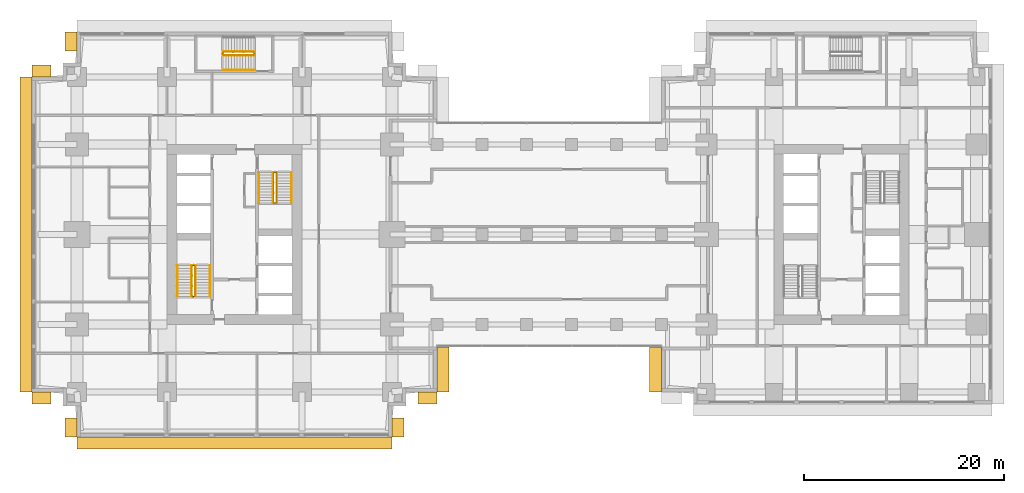
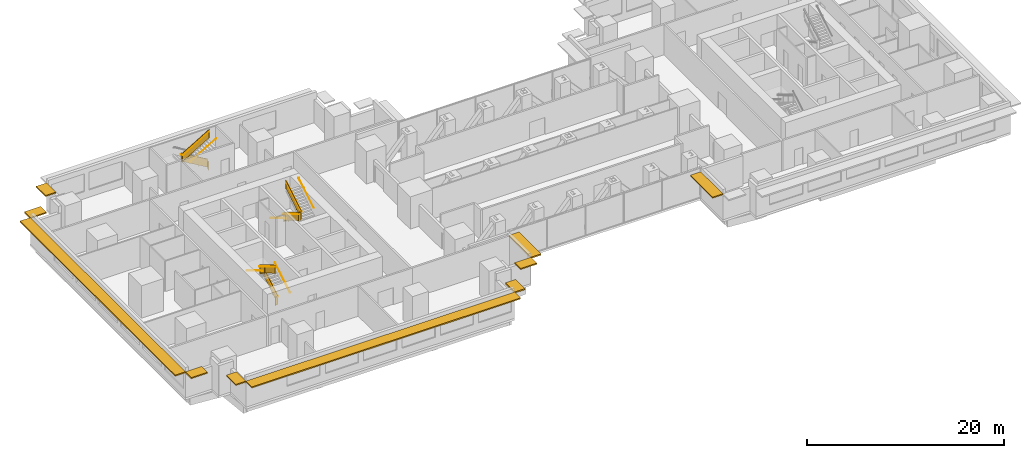
# One storey, part 13 of 15: 14 railings, 10 shading devices.
"""IFC4 building model written with IfcOpenShell, lengths in metres."""

from ifc_helpers import new_model, si_unit, direction, frame, origin, origin_2d, place, context, subcontext, project, spatial, polyline, rectangle, circle, outline, extrude, material, layer, layer_set, type_object, element, save


model = new_model("IFC4")

# Units and contexts
model_context = context("Model", 3, precision=1e-05, world=origin(), true_north=direction((0.0, 1.0)))
body_context = subcontext(model_context, "Body", "Model", "MODEL_VIEW")
ifc_project = project(units=[si_unit("LENGTHUNIT", "METRE"), si_unit("AREAUNIT", "SQUARE_METRE"), si_unit("VOLUMEUNIT", "CUBIC_METRE"), si_unit("PLANEANGLEUNIT", "RADIAN"), si_unit("MASSUNIT", "GRAM", prefix="KILO")], contexts=[model_context])

# Site, building, storey
site_placement = place(None, origin())
site = spatial("IfcSite", under=ifc_project, at=site_placement, CompositionType="ELEMENT")
building_placement = place(site_placement, origin())
building = spatial("IfcBuilding", under=site, at=building_placement, Name="Namib Vertical Campus", CompositionType="ELEMENT")
storey_placement = place(building_placement, frame((0.0, 0.0, 109.0)))
storey = spatial("IfcBuildingStorey", under=building, at=storey_placement, Name="L25", CompositionType="ELEMENT", Elevation=109.0)

# Railings
ifc_material_1 = material(Name="Steel handrail", Category="steel")
railing_type_1 = type_object("IfcRailingType", Name="Handrail 900", PredefinedType="HANDRAIL", material=ifc_material_1)
railing_1_placement = place(storey_placement, frame((17.800048828125, 14.050048828125, 0.166748046875)))
element("IfcRailing", 1, at=railing_1_placement, inside=storey, type_object=railing_type_1, Name="Handrail HR1 A-S1 L25 1", PredefinedType="HANDRAIL", context=body_context, shape_type="SweptSolid", body=[
    extrude(circle(Radius=0.02392578125, at=origin_2d()), frame((0.0, 0.0, 0.8759765625), z_axis=(0.0, 0.859290745958, 0.51148745235), x_axis=(-1.0, 0.0, 0.0)), (0.0, 0.0, 1.0), 3.584228515625),
    extrude(circle(Radius=0.008056640625, at=origin_2d()), frame((0.0, 0.0, 0.8759765625), z_axis=(1.0, 0.0, 0.0), x_axis=(0.0, 0.0, 1.0)), (0.0, 0.0, 1.0), 0.050048828125),
    extrude(circle(Radius=0.008056640625, at=origin_2d()), frame((0.0, 1.026611328125, 1.48681640625), z_axis=(1.0, 0.0, 0.0), x_axis=(0.0, 0.0, 1.0)), (0.0, 0.0, 1.0), 0.050048828125),
    extrude(circle(Radius=0.008056640625, at=origin_2d()), frame((0.0, 2.05322265625, 2.09814453125), z_axis=(1.0, 0.0, 0.0), x_axis=(0.0, 0.0, 1.0)), (0.0, 0.0, 1.0), 0.050048828125),
    extrude(circle(Radius=0.008056640625, at=origin_2d()), frame((0.0, 3.079833984375, 2.708984375), z_axis=(1.0, 0.0, 0.0), x_axis=(0.0, 0.0, 1.0)), (0.0, 0.0, 1.0), 0.050048828125),
])
railing_2_placement = place(storey_placement, frame((14.550048828125, 17.1298828125, 2.166748046875)))
element("IfcRailing", 2, at=railing_2_placement, inside=storey, type_object=railing_type_1, Name="Handrail HR1 A-S1 L25 2", PredefinedType="HANDRAIL", context=body_context, shape_type="SweptSolid", body=[
    extrude(circle(Radius=0.02392578125, at=origin_2d()), frame((0.0, 0.0, 0.8759765625), z_axis=(0.0, -0.859290745958, 0.51148745235), x_axis=(1.0, 0.0, 0.0)), (0.0, 0.0, 1.0), 3.584228515625),
    extrude(circle(Radius=0.008056640625, at=origin_2d()), frame((0.0, 0.0, 0.8759765625), z_axis=(-1.0, 0.0, 0.0), x_axis=(0.0, 0.0, 1.0)), (0.0, 0.0, 1.0), 0.050048828125),
    extrude(circle(Radius=0.008056640625, at=origin_2d()), frame((0.0, -1.026611328125, 1.48681640625), z_axis=(-1.0, 0.0, 0.0), x_axis=(0.0, 0.0, 1.0)), (0.0, 0.0, 1.0), 0.050048828125),
    extrude(circle(Radius=0.008056640625, at=origin_2d()), frame((0.0, -2.05322265625, 2.09814453125), z_axis=(-1.0, 0.0, 0.0), x_axis=(0.0, 0.0, 1.0)), (0.0, 0.0, 1.0), 0.050048828125),
    extrude(circle(Radius=0.008056640625, at=origin_2d()), frame((0.0, -3.079833984375, 2.708984375), z_axis=(-1.0, 0.0, 0.0), x_axis=(0.0, 0.0, 1.0)), (0.0, 0.0, 1.0), 0.050048828125),
])
railing_3_placement = place(storey_placement, frame((16.375, 14.050048828125, 0.166748046875)))
element("IfcRailing", 3, at=railing_3_placement, inside=storey, type_object=railing_type_1, Name="Handrail HR1 A-S1 L25 1 at the well", PredefinedType="HANDRAIL", context=body_context, shape_type="SweptSolid", body=[
    extrude(circle(Radius=0.02392578125, at=origin_2d()), frame((0.0, 0.0, 0.8759765625), z_axis=(0.0, 0.859290745958, 0.51148745235), x_axis=(-1.0, 0.0, 0.0)), (0.0, 0.0, 1.0), 3.584228515625),
    extrude(circle(Radius=0.008056640625, at=origin_2d()), frame((0.0, 0.0, 0.8759765625), z_axis=(-1.0, 0.0, 0.0), x_axis=(0.0, 0.0, 1.0)), (0.0, 0.0, 1.0), 0.0400390625),
    extrude(circle(Radius=0.008056640625, at=origin_2d()), frame((0.0, 1.026611328125, 1.48681640625), z_axis=(-1.0, 0.0, 0.0), x_axis=(0.0, 0.0, 1.0)), (0.0, 0.0, 1.0), 0.0400390625),
    extrude(circle(Radius=0.008056640625, at=origin_2d()), frame((0.0, 2.05322265625, 2.09814453125), z_axis=(-1.0, 0.0, 0.0), x_axis=(0.0, 0.0, 1.0)), (0.0, 0.0, 1.0), 0.0400390625),
    extrude(circle(Radius=0.008056640625, at=origin_2d()), frame((0.0, 3.079833984375, 2.708984375), z_axis=(-1.0, 0.0, 0.0), x_axis=(0.0, 0.0, 1.0)), (0.0, 0.0, 1.0), 0.0400390625),
])
railing_4_placement = place(storey_placement, frame((15.97509765625, 17.1298828125, 2.166748046875)))
element("IfcRailing", 4, at=railing_4_placement, inside=storey, type_object=railing_type_1, Name="Handrail HR1 A-S1 L25 2 at the well", PredefinedType="HANDRAIL", context=body_context, shape_type="SweptSolid", body=[
    extrude(circle(Radius=0.02392578125, at=origin_2d()), frame((0.0, 0.0, 0.8759765625), z_axis=(0.0, -0.859290745958, 0.51148745235), x_axis=(1.0, 0.0, 0.0)), (0.0, 0.0, 1.0), 3.584228515625),
    extrude(circle(Radius=0.008056640625, at=origin_2d()), frame((0.0, 0.0, 0.8759765625), z_axis=(1.0, 0.0, 0.0), x_axis=(0.0, 0.0, 1.0)), (0.0, 0.0, 1.0), 0.0400390625),
    extrude(circle(Radius=0.008056640625, at=origin_2d()), frame((0.0, -1.026611328125, 1.48681640625), z_axis=(1.0, 0.0, 0.0), x_axis=(0.0, 0.0, 1.0)), (0.0, 0.0, 1.0), 0.0400390625),
    extrude(circle(Radius=0.008056640625, at=origin_2d()), frame((0.0, -2.05322265625, 2.09814453125), z_axis=(1.0, 0.0, 0.0), x_axis=(0.0, 0.0, 1.0)), (0.0, 0.0, 1.0), 0.0400390625),
    extrude(circle(Radius=0.008056640625, at=origin_2d()), frame((0.0, -3.079833984375, 2.708984375), z_axis=(1.0, 0.0, 0.0), x_axis=(0.0, 0.0, 1.0)), (0.0, 0.0, 1.0), 0.0400390625),
])
railing_5_placement = place(storey_placement, frame((22.699951171875, 26.449951171875, 0.166748046875)))
element("IfcRailing", 5, at=railing_5_placement, inside=storey, type_object=railing_type_1, Name="Handrail HR1 A-S2 L25 1", PredefinedType="HANDRAIL", context=body_context, shape_type="SweptSolid", body=[
    extrude(circle(Radius=0.02392578125, at=origin_2d()), frame((0.0, 0.0, 0.8759765625), z_axis=(0.0, -0.859290745958, 0.51148745235), x_axis=(1.0, 0.0, 0.0)), (0.0, 0.0, 1.0), 3.584228515625),
    extrude(circle(Radius=0.008056640625, at=origin_2d()), frame((0.0, 0.0, 0.8759765625), z_axis=(-1.0, 0.0, 0.0), x_axis=(0.0, 0.0, 1.0)), (0.0, 0.0, 1.0), 0.050048828125),
    extrude(circle(Radius=0.008056640625, at=origin_2d()), frame((0.0, -1.026611328125, 1.48681640625), z_axis=(-1.0, 0.0, 0.0), x_axis=(0.0, 0.0, 1.0)), (0.0, 0.0, 1.0), 0.050048828125),
    extrude(circle(Radius=0.008056640625, at=origin_2d()), frame((0.0, -2.05322265625, 2.09814453125), z_axis=(-1.0, 0.0, 0.0), x_axis=(0.0, 0.0, 1.0)), (0.0, 0.0, 1.0), 0.050048828125),
    extrude(circle(Radius=0.008056640625, at=origin_2d()), frame((0.0, -3.079833984375, 2.708984375), z_axis=(-1.0, 0.0, 0.0), x_axis=(0.0, 0.0, 1.0)), (0.0, 0.0, 1.0), 0.050048828125),
])
railing_6_placement = place(storey_placement, frame((25.949951171875, 23.3701171875, 2.166748046875)))
element("IfcRailing", 6, at=railing_6_placement, inside=storey, type_object=railing_type_1, Name="Handrail HR1 A-S2 L25 2", PredefinedType="HANDRAIL", context=body_context, shape_type="SweptSolid", body=[
    extrude(circle(Radius=0.02392578125, at=origin_2d()), frame((0.0, 0.0, 0.8759765625), z_axis=(0.0, 0.859290745958, 0.51148745235), x_axis=(-1.0, 0.0, 0.0)), (0.0, 0.0, 1.0), 3.584228515625),
    extrude(circle(Radius=0.008056640625, at=origin_2d()), frame((0.0, 0.0, 0.8759765625), z_axis=(1.0, 0.0, 0.0), x_axis=(0.0, 0.0, 1.0)), (0.0, 0.0, 1.0), 0.050048828125),
    extrude(circle(Radius=0.008056640625, at=origin_2d()), frame((0.0, 1.026611328125, 1.48681640625), z_axis=(1.0, 0.0, 0.0), x_axis=(0.0, 0.0, 1.0)), (0.0, 0.0, 1.0), 0.050048828125),
    extrude(circle(Radius=0.008056640625, at=origin_2d()), frame((0.0, 2.05322265625, 2.09814453125), z_axis=(1.0, 0.0, 0.0), x_axis=(0.0, 0.0, 1.0)), (0.0, 0.0, 1.0), 0.050048828125),
    extrude(circle(Radius=0.008056640625, at=origin_2d()), frame((0.0, 3.079833984375, 2.708984375), z_axis=(1.0, 0.0, 0.0), x_axis=(0.0, 0.0, 1.0)), (0.0, 0.0, 1.0), 0.050048828125),
])
railing_7_placement = place(storey_placement, frame((24.125, 26.449951171875, 0.166748046875)))
element("IfcRailing", 7, at=railing_7_placement, inside=storey, type_object=railing_type_1, Name="Handrail HR1 A-S2 L25 1 at the well", PredefinedType="HANDRAIL", context=body_context, shape_type="SweptSolid", body=[
    extrude(circle(Radius=0.02392578125, at=origin_2d()), frame((0.0, 0.0, 0.8759765625), z_axis=(0.0, -0.859290745958, 0.51148745235), x_axis=(1.0, 0.0, 0.0)), (0.0, 0.0, 1.0), 3.584228515625),
    extrude(circle(Radius=0.008056640625, at=origin_2d()), frame((0.0, 0.0, 0.8759765625), z_axis=(1.0, 0.0, 0.0), x_axis=(0.0, 0.0, 1.0)), (0.0, 0.0, 1.0), 0.0400390625),
    extrude(circle(Radius=0.008056640625, at=origin_2d()), frame((0.0, -1.026611328125, 1.48681640625), z_axis=(1.0, 0.0, 0.0), x_axis=(0.0, 0.0, 1.0)), (0.0, 0.0, 1.0), 0.0400390625),
    extrude(circle(Radius=0.008056640625, at=origin_2d()), frame((0.0, -2.05322265625, 2.09814453125), z_axis=(1.0, 0.0, 0.0), x_axis=(0.0, 0.0, 1.0)), (0.0, 0.0, 1.0), 0.0400390625),
    extrude(circle(Radius=0.008056640625, at=origin_2d()), frame((0.0, -3.079833984375, 2.708984375), z_axis=(1.0, 0.0, 0.0), x_axis=(0.0, 0.0, 1.0)), (0.0, 0.0, 1.0), 0.0400390625),
])
railing_8_placement = place(storey_placement, frame((24.52490234375, 23.3701171875, 2.166748046875)))
element("IfcRailing", 8, at=railing_8_placement, inside=storey, type_object=railing_type_1, Name="Handrail HR1 A-S2 L25 2 at the well", PredefinedType="HANDRAIL", context=body_context, shape_type="SweptSolid", body=[
    extrude(circle(Radius=0.02392578125, at=origin_2d()), frame((0.0, 0.0, 0.8759765625), z_axis=(0.0, 0.859290745958, 0.51148745235), x_axis=(-1.0, 0.0, 0.0)), (0.0, 0.0, 1.0), 3.584228515625),
    extrude(circle(Radius=0.008056640625, at=origin_2d()), frame((0.0, 0.0, 0.8759765625), z_axis=(-1.0, 0.0, 0.0), x_axis=(0.0, 0.0, 1.0)), (0.0, 0.0, 1.0), 0.0400390625),
    extrude(circle(Radius=0.008056640625, at=origin_2d()), frame((0.0, 1.026611328125, 1.48681640625), z_axis=(-1.0, 0.0, 0.0), x_axis=(0.0, 0.0, 1.0)), (0.0, 0.0, 1.0), 0.0400390625),
    extrude(circle(Radius=0.008056640625, at=origin_2d()), frame((0.0, 2.05322265625, 2.09814453125), z_axis=(-1.0, 0.0, 0.0), x_axis=(0.0, 0.0, 1.0)), (0.0, 0.0, 1.0), 0.0400390625),
    extrude(circle(Radius=0.008056640625, at=origin_2d()), frame((0.0, 3.079833984375, 2.708984375), z_axis=(-1.0, 0.0, 0.0), x_axis=(0.0, 0.0, 1.0)), (0.0, 0.0, 1.0), 0.0400390625),
])
railing_9_placement = place(storey_placement, frame((19.1201171875, 36.699951171875, 2.166748046875)))
element("IfcRailing", 9, at=railing_9_placement, inside=storey, type_object=railing_type_1, Name="Handrail HR1 A-S3 L25 2", PredefinedType="HANDRAIL", context=body_context, shape_type="SweptSolid", body=[
    extrude(circle(Radius=0.02392578125, at=origin_2d()), frame((0.0, 0.0, 0.8759765625), z_axis=(0.859290745958, 0.0, 0.51148745235), x_axis=(0.0, 1.0, 0.0)), (0.0, 0.0, 1.0), 3.584228515625),
    extrude(circle(Radius=0.008056640625, at=origin_2d()), frame((0.0, 0.0, 0.8759765625), z_axis=(0.0, -1.0, 0.0), x_axis=(0.0, 0.0, 1.0)), (0.0, 0.0, 1.0), 0.050048828125),
    extrude(circle(Radius=0.008056640625, at=origin_2d()), frame((1.026611328125, 0.0, 1.48681640625), z_axis=(0.0, -1.0, 0.0), x_axis=(0.0, 0.0, 1.0)), (0.0, 0.0, 1.0), 0.050048828125),
    extrude(circle(Radius=0.008056640625, at=origin_2d()), frame((2.05322265625, 0.0, 2.09814453125), z_axis=(0.0, -1.0, 0.0), x_axis=(0.0, 0.0, 1.0)), (0.0, 0.0, 1.0), 0.050048828125),
    extrude(circle(Radius=0.008056640625, at=origin_2d()), frame((3.079833984375, 0.0, 2.708984375), z_axis=(0.0, -1.0, 0.0), x_axis=(0.0, 0.0, 1.0)), (0.0, 0.0, 1.0), 0.050048828125),
])
railing_10_placement = place(storey_placement, frame((22.199951171875, 38.52490234375, 0.166748046875)))
element("IfcRailing", 10, at=railing_10_placement, inside=storey, type_object=railing_type_1, Name="Handrail HR1 A-S3 L25 1 at the well", PredefinedType="HANDRAIL", context=body_context, shape_type="SweptSolid", body=[
    extrude(circle(Radius=0.02392578125, at=origin_2d()), frame((0.0, 0.0, 0.8759765625), z_axis=(-0.859290745958, 0.0, 0.51148745235), x_axis=(0.0, -1.0, 0.0)), (0.0, 0.0, 1.0), 3.584228515625),
    extrude(circle(Radius=0.008056640625, at=origin_2d()), frame((0.0, 0.0, 0.8759765625), z_axis=(0.0, -1.0, 0.0), x_axis=(0.0, 0.0, 1.0)), (0.0, 0.0, 1.0), 0.0400390625),
    extrude(circle(Radius=0.008056640625, at=origin_2d()), frame((-1.026611328125, 0.0, 1.48681640625), z_axis=(0.0, -1.0, 0.0), x_axis=(0.0, 0.0, 1.0)), (0.0, 0.0, 1.0), 0.0400390625),
    extrude(circle(Radius=0.008056640625, at=origin_2d()), frame((-2.05322265625, 0.0, 2.09814453125), z_axis=(0.0, -1.0, 0.0), x_axis=(0.0, 0.0, 1.0)), (0.0, 0.0, 1.0), 0.0400390625),
    extrude(circle(Radius=0.008056640625, at=origin_2d()), frame((-3.079833984375, 0.0, 2.708984375), z_axis=(0.0, -1.0, 0.0), x_axis=(0.0, 0.0, 1.0)), (0.0, 0.0, 1.0), 0.0400390625),
])
railing_11_placement = place(storey_placement, frame((19.1201171875, 38.125, 2.166748046875)))
element("IfcRailing", 11, at=railing_11_placement, inside=storey, type_object=railing_type_1, Name="Handrail HR1 A-S3 L25 2 at the well", PredefinedType="HANDRAIL", context=body_context, shape_type="SweptSolid", body=[
    extrude(circle(Radius=0.02392578125, at=origin_2d()), frame((0.0, 0.0, 0.8759765625), z_axis=(0.859290745958, 0.0, 0.51148745235), x_axis=(0.0, 1.0, 0.0)), (0.0, 0.0, 1.0), 3.584228515625),
    extrude(circle(Radius=0.008056640625, at=origin_2d()), frame((0.0, 0.0, 0.8759765625), z_axis=(0.0, 1.0, 0.0), x_axis=(0.0, 0.0, 1.0)), (0.0, 0.0, 1.0), 0.0400390625),
    extrude(circle(Radius=0.008056640625, at=origin_2d()), frame((1.026611328125, 0.0, 1.48681640625), z_axis=(0.0, 1.0, 0.0), x_axis=(0.0, 0.0, 1.0)), (0.0, 0.0, 1.0), 0.0400390625),
    extrude(circle(Radius=0.008056640625, at=origin_2d()), frame((2.05322265625, 0.0, 2.09814453125), z_axis=(0.0, 1.0, 0.0), x_axis=(0.0, 0.0, 1.0)), (0.0, 0.0, 1.0), 0.0400390625),
    extrude(circle(Radius=0.008056640625, at=origin_2d()), frame((3.079833984375, 0.0, 2.708984375), z_axis=(0.0, 1.0, 0.0), x_axis=(0.0, 0.0, 1.0)), (0.0, 0.0, 1.0), 0.0400390625),
])
ifc_material_2 = material(Name="Steel balustrade", Category="steel")
railing_type_2 = type_object("IfcRailingType", Name="Stair guard 1100", PredefinedType="GUARDRAIL", material=ifc_material_2)
railing_12_placement = place(storey_placement, frame((16.02490234375, 14.050048828125, 0.0)))
element("IfcRailing", 12, at=railing_12_placement, inside=storey, type_object=railing_type_2, Name="Stair guard GR1 A-S1 L25", PredefinedType="GUARDRAIL", context=body_context, shape_type="SweptSolid", body=[
    extrude(circle(Radius=0.02392578125, at=origin_2d()), frame((0.0, 0.0, 1.076171875), z_axis=(1.0, 0.0, 0.0), x_axis=(0.0, 1.0, 0.0)), (0.0, 0.0, 1.0), 0.300048828125),
    extrude(outline(polyline([(0.02099609375, 0.050048828125), (0.279052734375, 0.050048828125), (0.279052734375, 1.052001953125), (0.02099609375, 1.052001953125), (0.02099609375, 0.050048828125)])), frame((0.0, 0.010009765625, 0.0), z_axis=(0.0, -1.0, 0.0), x_axis=(1.0, 0.0, 0.0)), (0.0, 0.0, 1.0), 0.02001953125),
    extrude(circle(Radius=0.02392578125, at=origin_2d()), frame((0.300048828125, 0.0, 1.076171875), z_axis=(0.0, 0.0, 1.0), x_axis=(1.0, 0.0, 0.0)), (0.0, 0.0, 1.0), 0.166748046875),
    extrude(circle(Radius=0.02392578125, at=origin_2d()), frame((0.300048828125, 0.0, 1.24267578125), z_axis=(0.0, 0.859290745958, 0.51148745235), x_axis=(-1.0, 0.0, 0.0)), (0.0, 0.0, 1.0), 3.584228515625),
    extrude(outline(polyline([(0.02099609375, 0.0625), (3.058837890625, 1.870849609375), (3.058837890625, 2.872802734375), (0.02099609375, 1.064453125), (0.02099609375, 0.0625)])), frame((0.2900390625, 0.0, 0.166748046875), z_axis=(1.0, 0.0, 0.0), x_axis=(0.0, 1.0, 0.0)), (0.0, 0.0, 1.0), 0.02001953125),
    extrude(circle(Radius=0.02392578125, at=origin_2d()), frame((0.300048828125, 3.079833984375, 3.076171875), z_axis=(-1.0, 0.0, 0.0), x_axis=(0.0, -1.0, 0.0)), (0.0, 0.0, 1.0), 0.300048828125),
    extrude(outline(polyline([(0.02099609375, 0.050048828125), (0.279052734375, 0.050048828125), (0.279052734375, 1.052001953125), (0.02099609375, 1.052001953125), (0.02099609375, 0.050048828125)])), frame((0.300048828125, 3.06982421875, 2.0), z_axis=(0.0, 1.0, 0.0), x_axis=(-1.0, 0.0, 0.0)), (0.0, 0.0, 1.0), 0.02001953125),
    extrude(circle(Radius=0.02392578125, at=origin_2d()), frame((0.0, 3.079833984375, 3.076171875), z_axis=(0.0, 0.0, 1.0), x_axis=(1.0, 0.0, 0.0)), (0.0, 0.0, 1.0), 0.166748046875),
    extrude(circle(Radius=0.02392578125, at=origin_2d()), frame((0.0, 3.079833984375, 3.24267578125), z_axis=(0.0, -0.859290745958, 0.51148745235), x_axis=(1.0, 0.0, 0.0)), (0.0, 0.0, 1.0), 3.584228515625),
    extrude(outline(polyline([(0.02099609375, 0.0625), (3.058837890625, 1.870849609375), (3.058837890625, 2.872802734375), (0.02099609375, 1.064453125), (0.02099609375, 0.0625)])), frame((0.010009765625, 3.079833984375, 2.166748046875), z_axis=(-1.0, 0.0, 0.0), x_axis=(0.0, -1.0, 0.0)), (0.0, 0.0, 1.0), 0.02001953125),
    extrude(circle(Radius=0.02392578125, at=origin_2d()), frame((0.0, 0.0, 5.076171875), z_axis=(0.0, -1.0, 0.0), x_axis=(1.0, 0.0, 0.0)), (0.0, 0.0, 1.0), 0.050048828125),
    extrude(outline(polyline([(0.02099609375, 0.050048828125), (0.029052734375, 0.050048828125), (0.029052734375, 1.052001953125), (0.02099609375, 1.052001953125), (0.02099609375, 0.050048828125)])), frame((0.010009765625, 0.0, 4.0), z_axis=(-1.0, 0.0, 0.0), x_axis=(0.0, -1.0, 0.0)), (0.0, 0.0, 1.0), 0.02001953125),
    extrude(circle(Radius=0.02099609375, at=origin_2d()), origin(), (0.0, 0.0, 1.0), 1.052001953125),
    extrude(circle(Radius=0.02099609375, at=origin_2d()), frame((0.300048828125, 0.0, 0.166748046875)), (0.0, 0.0, 1.0), 1.052001953125),
    extrude(circle(Radius=0.02099609375, at=origin_2d()), frame((0.300048828125, 1.026611328125, 0.666748046875)), (0.0, 0.0, 1.0), 1.1630859375),
    extrude(circle(Radius=0.02099609375, at=origin_2d()), frame((0.300048828125, 2.05322265625, 1.33349609375)), (0.0, 0.0, 1.0), 1.107421875),
    extrude(circle(Radius=0.02099609375, at=origin_2d()), frame((0.300048828125, 3.079833984375, 2.0)), (0.0, 0.0, 1.0), 1.052001953125),
    extrude(circle(Radius=0.02099609375, at=origin_2d()), frame((0.0, 3.079833984375, 2.166748046875)), (0.0, 0.0, 1.0), 1.052001953125),
    extrude(circle(Radius=0.02099609375, at=origin_2d()), frame((0.0, 2.05322265625, 2.666748046875)), (0.0, 0.0, 1.0), 1.1630859375),
    extrude(circle(Radius=0.02099609375, at=origin_2d()), frame((0.0, 1.026611328125, 3.33349609375)), (0.0, 0.0, 1.0), 1.107421875),
    extrude(circle(Radius=0.02099609375, at=origin_2d()), frame((0.0, 0.0, 4.0)), (0.0, 0.0, 1.0), 1.052001953125),
    extrude(circle(Radius=0.02099609375, at=origin_2d()), frame((0.0, -0.050048828125, 4.0)), (0.0, 0.0, 1.0), 1.052001953125),
])
railing_13_placement = place(storey_placement, frame((24.47509765625, 26.449951171875, 0.0)))
element("IfcRailing", 13, at=railing_13_placement, inside=storey, type_object=railing_type_2, Name="Stair guard GR1 A-S2 L25", PredefinedType="GUARDRAIL", context=body_context, shape_type="SweptSolid", body=[
    extrude(circle(Radius=0.02392578125, at=origin_2d()), frame((0.0, 0.0, 1.076171875), z_axis=(-1.0, 0.0, 0.0), x_axis=(0.0, -1.0, 0.0)), (0.0, 0.0, 1.0), 0.300048828125),
    extrude(outline(polyline([(0.02099609375, 0.050048828125), (0.279052734375, 0.050048828125), (0.279052734375, 1.052001953125), (0.02099609375, 1.052001953125), (0.02099609375, 0.050048828125)])), frame((0.0, -0.010009765625, 0.0), z_axis=(0.0, 1.0, 0.0), x_axis=(-1.0, 0.0, 0.0)), (0.0, 0.0, 1.0), 0.02001953125),
    extrude(circle(Radius=0.02392578125, at=origin_2d()), frame((-0.300048828125, 0.0, 1.076171875), z_axis=(0.0, 0.0, 1.0), x_axis=(1.0, 0.0, 0.0)), (0.0, 0.0, 1.0), 0.166748046875),
    extrude(circle(Radius=0.02392578125, at=origin_2d()), frame((-0.300048828125, 0.0, 1.24267578125), z_axis=(0.0, -0.859290745958, 0.51148745235), x_axis=(1.0, 0.0, 0.0)), (0.0, 0.0, 1.0), 3.584228515625),
    extrude(outline(polyline([(0.02099609375, 0.0625), (3.058837890625, 1.870849609375), (3.058837890625, 2.872802734375), (0.02099609375, 1.064453125), (0.02099609375, 0.0625)])), frame((-0.2900390625, 0.0, 0.166748046875), z_axis=(-1.0, 0.0, 0.0), x_axis=(0.0, -1.0, 0.0)), (0.0, 0.0, 1.0), 0.02001953125),
    extrude(circle(Radius=0.02392578125, at=origin_2d()), frame((-0.300048828125, -3.079833984375, 3.076171875), z_axis=(1.0, 0.0, 0.0), x_axis=(0.0, 1.0, 0.0)), (0.0, 0.0, 1.0), 0.300048828125),
    extrude(outline(polyline([(0.02099609375, 0.050048828125), (0.279052734375, 0.050048828125), (0.279052734375, 1.052001953125), (0.02099609375, 1.052001953125), (0.02099609375, 0.050048828125)])), frame((-0.300048828125, -3.06982421875, 2.0), z_axis=(0.0, -1.0, 0.0), x_axis=(1.0, 0.0, 0.0)), (0.0, 0.0, 1.0), 0.02001953125),
    extrude(circle(Radius=0.02392578125, at=origin_2d()), frame((0.0, -3.079833984375, 3.076171875), z_axis=(0.0, 0.0, 1.0), x_axis=(1.0, 0.0, 0.0)), (0.0, 0.0, 1.0), 0.166748046875),
    extrude(circle(Radius=0.02392578125, at=origin_2d()), frame((0.0, -3.079833984375, 3.24267578125), z_axis=(0.0, 0.859290745958, 0.51148745235), x_axis=(-1.0, 0.0, 0.0)), (0.0, 0.0, 1.0), 3.584228515625),
    extrude(outline(polyline([(0.02099609375, 0.0625), (3.058837890625, 1.870849609375), (3.058837890625, 2.872802734375), (0.02099609375, 1.064453125), (0.02099609375, 0.0625)])), frame((-0.010009765625, -3.079833984375, 2.166748046875), z_axis=(1.0, 0.0, 0.0), x_axis=(0.0, 1.0, 0.0)), (0.0, 0.0, 1.0), 0.02001953125),
    extrude(circle(Radius=0.02392578125, at=origin_2d()), frame((0.0, 0.0, 5.076171875), z_axis=(0.0, 1.0, 0.0), x_axis=(-1.0, 0.0, 0.0)), (0.0, 0.0, 1.0), 0.050048828125),
    extrude(outline(polyline([(0.02099609375, 0.050048828125), (0.029052734375, 0.050048828125), (0.029052734375, 1.052001953125), (0.02099609375, 1.052001953125), (0.02099609375, 0.050048828125)])), frame((-0.010009765625, 0.0, 4.0), z_axis=(1.0, 0.0, 0.0), x_axis=(0.0, 1.0, 0.0)), (0.0, 0.0, 1.0), 0.02001953125),
    extrude(circle(Radius=0.02099609375, at=origin_2d()), origin(), (0.0, 0.0, 1.0), 1.052001953125),
    extrude(circle(Radius=0.02099609375, at=origin_2d()), frame((-0.300048828125, 0.0, 0.166748046875)), (0.0, 0.0, 1.0), 1.052001953125),
    extrude(circle(Radius=0.02099609375, at=origin_2d()), frame((-0.300048828125, -1.026611328125, 0.666748046875)), (0.0, 0.0, 1.0), 1.1630859375),
    extrude(circle(Radius=0.02099609375, at=origin_2d()), frame((-0.300048828125, -2.05322265625, 1.33349609375)), (0.0, 0.0, 1.0), 1.107421875),
    extrude(circle(Radius=0.02099609375, at=origin_2d()), frame((-0.300048828125, -3.079833984375, 2.0)), (0.0, 0.0, 1.0), 1.052001953125),
    extrude(circle(Radius=0.02099609375, at=origin_2d()), frame((0.0, -3.079833984375, 2.166748046875)), (0.0, 0.0, 1.0), 1.052001953125),
    extrude(circle(Radius=0.02099609375, at=origin_2d()), frame((0.0, -2.05322265625, 2.666748046875)), (0.0, 0.0, 1.0), 1.1630859375),
    extrude(circle(Radius=0.02099609375, at=origin_2d()), frame((0.0, -1.026611328125, 3.33349609375)), (0.0, 0.0, 1.0), 1.107421875),
    extrude(circle(Radius=0.02099609375, at=origin_2d()), frame((0.0, 0.0, 4.0)), (0.0, 0.0, 1.0), 1.052001953125),
    extrude(circle(Radius=0.02099609375, at=origin_2d()), frame((0.0, 0.050048828125, 4.0)), (0.0, 0.0, 1.0), 1.052001953125),
])
railing_14_placement = place(storey_placement, frame((22.199951171875, 38.175048828125, 0.0)))
element("IfcRailing", 14, at=railing_14_placement, inside=storey, type_object=railing_type_2, Name="Stair guard GR1 A-S3 L25", PredefinedType="GUARDRAIL", context=body_context, shape_type="SweptSolid", body=[
    extrude(circle(Radius=0.02392578125, at=origin_2d()), frame((0.0, 0.0, 1.076171875), z_axis=(0.0, 1.0, 0.0), x_axis=(-1.0, 0.0, 0.0)), (0.0, 0.0, 1.0), 0.300048828125),
    extrude(outline(polyline([(0.02099609375, 0.050048828125), (0.279052734375, 0.050048828125), (0.279052734375, 1.052001953125), (0.02099609375, 1.052001953125), (0.02099609375, 0.050048828125)])), frame((-0.010009765625, 0.0, 0.0), z_axis=(1.0, 0.0, 0.0), x_axis=(0.0, 1.0, 0.0)), (0.0, 0.0, 1.0), 0.02001953125),
    extrude(circle(Radius=0.02392578125, at=origin_2d()), frame((0.0, 0.300048828125, 1.076171875), z_axis=(0.0, 0.0, 1.0), x_axis=(1.0, 0.0, 0.0)), (0.0, 0.0, 1.0), 0.166748046875),
    extrude(circle(Radius=0.02392578125, at=origin_2d()), frame((0.0, 0.300048828125, 1.24267578125), z_axis=(-0.859290745958, 0.0, 0.51148745235), x_axis=(0.0, -1.0, 0.0)), (0.0, 0.0, 1.0), 3.584228515625),
    extrude(outline(polyline([(0.02099609375, 0.0625), (3.058837890625, 1.870849609375), (3.058837890625, 2.872802734375), (0.02099609375, 1.064453125), (0.02099609375, 0.0625)])), frame((0.0, 0.2900390625, 0.166748046875), z_axis=(0.0, 1.0, 0.0), x_axis=(-1.0, 0.0, 0.0)), (0.0, 0.0, 1.0), 0.02001953125),
    extrude(circle(Radius=0.02392578125, at=origin_2d()), frame((-3.079833984375, 0.300048828125, 3.076171875), z_axis=(0.0, -1.0, 0.0), x_axis=(1.0, 0.0, 0.0)), (0.0, 0.0, 1.0), 0.300048828125),
    extrude(outline(polyline([(0.02099609375, 0.050048828125), (0.279052734375, 0.050048828125), (0.279052734375, 1.052001953125), (0.02099609375, 1.052001953125), (0.02099609375, 0.050048828125)])), frame((-3.06982421875, 0.300048828125, 2.0), z_axis=(-1.0, 0.0, 0.0), x_axis=(0.0, -1.0, 0.0)), (0.0, 0.0, 1.0), 0.02001953125),
    extrude(circle(Radius=0.02392578125, at=origin_2d()), frame((-3.079833984375, 0.0, 3.076171875), z_axis=(0.0, 0.0, 1.0), x_axis=(1.0, 0.0, 0.0)), (0.0, 0.0, 1.0), 0.166748046875),
    extrude(circle(Radius=0.02392578125, at=origin_2d()), frame((-3.079833984375, 0.0, 3.24267578125), z_axis=(0.859290745958, 0.0, 0.51148745235), x_axis=(0.0, 1.0, 0.0)), (0.0, 0.0, 1.0), 3.584228515625),
    extrude(outline(polyline([(0.02099609375, 0.0625), (3.058837890625, 1.870849609375), (3.058837890625, 2.872802734375), (0.02099609375, 1.064453125), (0.02099609375, 0.0625)])), frame((-3.079833984375, 0.010009765625, 2.166748046875), z_axis=(0.0, -1.0, 0.0), x_axis=(1.0, 0.0, 0.0)), (0.0, 0.0, 1.0), 0.02001953125),
    extrude(circle(Radius=0.02392578125, at=origin_2d()), frame((0.0, 0.0, 5.076171875), z_axis=(1.0, 0.0, 0.0), x_axis=(0.0, 1.0, 0.0)), (0.0, 0.0, 1.0), 0.050048828125),
    extrude(outline(polyline([(0.02099609375, 0.050048828125), (0.029052734375, 0.050048828125), (0.029052734375, 1.052001953125), (0.02099609375, 1.052001953125), (0.02099609375, 0.050048828125)])), frame((0.0, 0.010009765625, 4.0), z_axis=(0.0, -1.0, 0.0), x_axis=(1.0, 0.0, 0.0)), (0.0, 0.0, 1.0), 0.02001953125),
    extrude(circle(Radius=0.02099609375, at=origin_2d()), origin(), (0.0, 0.0, 1.0), 1.052001953125),
    extrude(circle(Radius=0.02099609375, at=origin_2d()), frame((0.0, 0.300048828125, 0.166748046875)), (0.0, 0.0, 1.0), 1.052001953125),
    extrude(circle(Radius=0.02099609375, at=origin_2d()), frame((-1.026611328125, 0.300048828125, 0.666748046875)), (0.0, 0.0, 1.0), 1.1630859375),
    extrude(circle(Radius=0.02099609375, at=origin_2d()), frame((-2.05322265625, 0.300048828125, 1.33349609375)), (0.0, 0.0, 1.0), 1.107421875),
    extrude(circle(Radius=0.02099609375, at=origin_2d()), frame((-3.079833984375, 0.300048828125, 2.0)), (0.0, 0.0, 1.0), 1.052001953125),
    extrude(circle(Radius=0.02099609375, at=origin_2d()), frame((-3.079833984375, 0.0, 2.166748046875)), (0.0, 0.0, 1.0), 1.052001953125),
    extrude(circle(Radius=0.02099609375, at=origin_2d()), frame((-2.05322265625, 0.0, 2.666748046875)), (0.0, 0.0, 1.0), 1.1630859375),
    extrude(circle(Radius=0.02099609375, at=origin_2d()), frame((-1.026611328125, 0.0, 3.33349609375)), (0.0, 0.0, 1.0), 1.107421875),
    extrude(circle(Radius=0.02099609375, at=origin_2d()), frame((0.0, 0.0, 4.0)), (0.0, 0.0, 1.0), 1.052001953125),
    extrude(circle(Radius=0.02099609375, at=origin_2d()), frame((0.050048828125, 0.0, 4.0)), (0.0, 0.0, 1.0), 1.052001953125),
])

# Shading devices
ifc_material_3 = material(Name="Concrete C40/50 precast", Category="concrete")
ifc_layer = layer(ifc_material_3, 0.14990234375)
ifc_layer_set = layer_set([ifc_layer], Name="Concrete C40/50 precast")
shading_device_type = type_object("IfcShadingDeviceType", Name="Sunshade hood 1200", PredefinedType="SHUTTER", material=ifc_layer_set)
shading_device_1_placement = place(storey_placement, frame((3.89990234375, 0.949951171875, 3.10009765625), z_axis=(0.0, 0.0, 1.0), x_axis=(0.0, -1.0, 0.0)))
element("IfcShadingDevice", 15, at=shading_device_1_placement, inside=storey, type_object=shading_device_type, Name="Sunshade SH2 L25 1", PredefinedType="SHUTTER", context=body_context, shape_type="SweptSolid", body=[
    extrude(rectangle(XDim=1.89990234375, YDim=1.199951171875, at=origin_2d()), origin(), (0.0, 0.0, 1.0), 0.14990234375),
])
shading_device_2_placement = place(storey_placement, frame((20.25, -0.60009765625, 3.10009765625), z_axis=(0.0, 0.0, 1.0), x_axis=(1.0, 0.0, 0.0)))
element("IfcShadingDevice", 16, at=shading_device_2_placement, inside=storey, type_object=shading_device_type, Name="Sunshade SH2 L25 2", PredefinedType="SHUTTER", context=body_context, shape_type="SweptSolid", body=[
    extrude(rectangle(XDim=31.5, YDim=1.199951171875, at=origin_2d()), origin(), (0.0, 0.0, 1.0), 0.14990234375),
])
for number, where, z_axis, x_axis, name in (
    (17, (36.60009765625, 0.949951171875, 3.10009765625), (0.0, 0.0, 1.0), (0.0, 1.0, 0.0), "Sunshade SH2 L25 3"),
    (18, (39.550048828125, 3.89990234375, 3.10009765625), (0.0, 0.0, 1.0), (1.0, 0.0, 0.0), "Sunshade SH2 L25 6"),
):
    element("IfcShadingDevice", number, at=place(storey_placement, frame(where, z_axis=z_axis, x_axis=x_axis)), inside=storey, type_object=shading_device_type, Name=name, PredefinedType="SHUTTER", context=body_context, shape_type="SweptSolid", body=[
        extrude(rectangle(XDim=1.89990234375, YDim=1.199951171875, at=origin_2d()), origin(), (0.0, 0.0, 1.0), 0.14990234375),
    ])
shading_device_3_placement = place(storey_placement, frame((41.10009765625, 6.75, 3.10009765625), z_axis=(0.0, 0.0, 1.0), x_axis=(0.0, 1.0, 0.0)))
element("IfcShadingDevice", 19, at=shading_device_3_placement, inside=storey, type_object=shading_device_type, Name="Sunshade SH2 L25 7", PredefinedType="SHUTTER", context=body_context, shape_type="SweptSolid", body=[
    extrude(rectangle(XDim=4.5, YDim=1.199951171875, at=origin_2d()), origin(), (0.0, 0.0, 1.0), 0.14990234375),
])
for number, where, z_axis, x_axis, name in (
    (20, (3.89990234375, 39.550048828125, 3.10009765625), (0.0, 0.0, 1.0), (0.0, -1.0, 0.0), "Sunshade SH2 L25 17"),
    (21, (0.949951171875, 36.60009765625, 3.10009765625), (0.0, 0.0, 1.0), (-1.0, 0.0, 0.0), "Sunshade SH2 L25 20"),
):
    element("IfcShadingDevice", number, at=place(storey_placement, frame(where, z_axis=z_axis, x_axis=x_axis)), inside=storey, type_object=shading_device_type, Name=name, PredefinedType="SHUTTER", context=body_context, shape_type="SweptSolid", body=[
        extrude(rectangle(XDim=1.89990234375, YDim=1.199951171875, at=origin_2d()), origin(), (0.0, 0.0, 1.0), 0.14990234375),
    ])
shading_device_4_placement = place(storey_placement, frame((-0.60009765625, 20.25, 3.10009765625), z_axis=(0.0, 0.0, 1.0), x_axis=(0.0, -1.0, 0.0)))
element("IfcShadingDevice", 22, at=shading_device_4_placement, inside=storey, type_object=shading_device_type, Name="Sunshade SH2 L25 21", PredefinedType="SHUTTER", context=body_context, shape_type="SweptSolid", body=[
    extrude(rectangle(XDim=31.5, YDim=1.199951171875, at=origin_2d()), origin(), (0.0, 0.0, 1.0), 0.14990234375),
])
shading_device_5_placement = place(storey_placement, frame((0.949951171875, 3.89990234375, 3.10009765625), z_axis=(0.0, 0.0, 1.0), x_axis=(1.0, 0.0, 0.0)))
element("IfcShadingDevice", 23, at=shading_device_5_placement, inside=storey, type_object=shading_device_type, Name="Sunshade SH2 L25 22", PredefinedType="SHUTTER", context=body_context, shape_type="SweptSolid", body=[
    extrude(rectangle(XDim=1.89990234375, YDim=1.199951171875, at=origin_2d()), origin(), (0.0, 0.0, 1.0), 0.14990234375),
])
shading_device_6_placement = place(storey_placement, frame((62.39990234375, 6.75, 3.10009765625), z_axis=(0.0, 0.0, 1.0), x_axis=(0.0, -1.0, 0.0)))
element("IfcShadingDevice", 24, at=shading_device_6_placement, inside=storey, type_object=shading_device_type, Name="Sunshade SH2 L25 1", PredefinedType="SHUTTER", context=body_context, shape_type="SweptSolid", body=[
    extrude(rectangle(XDim=4.5, YDim=1.199951171875, at=origin_2d()), origin(), (0.0, 0.0, 1.0), 0.14990234375),
])

save(model, "model.ifc")
